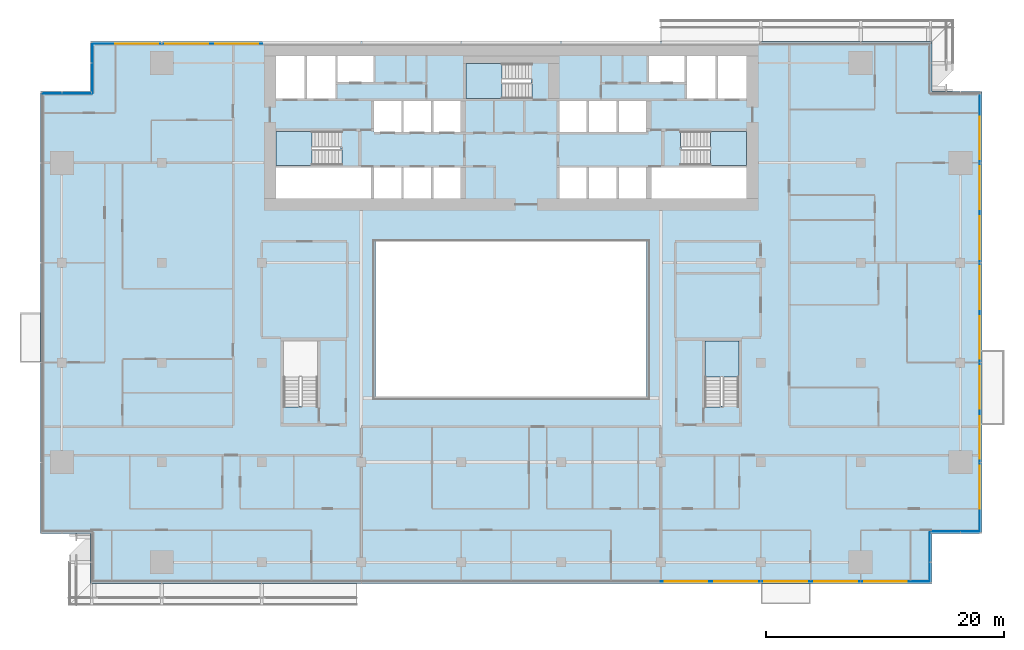
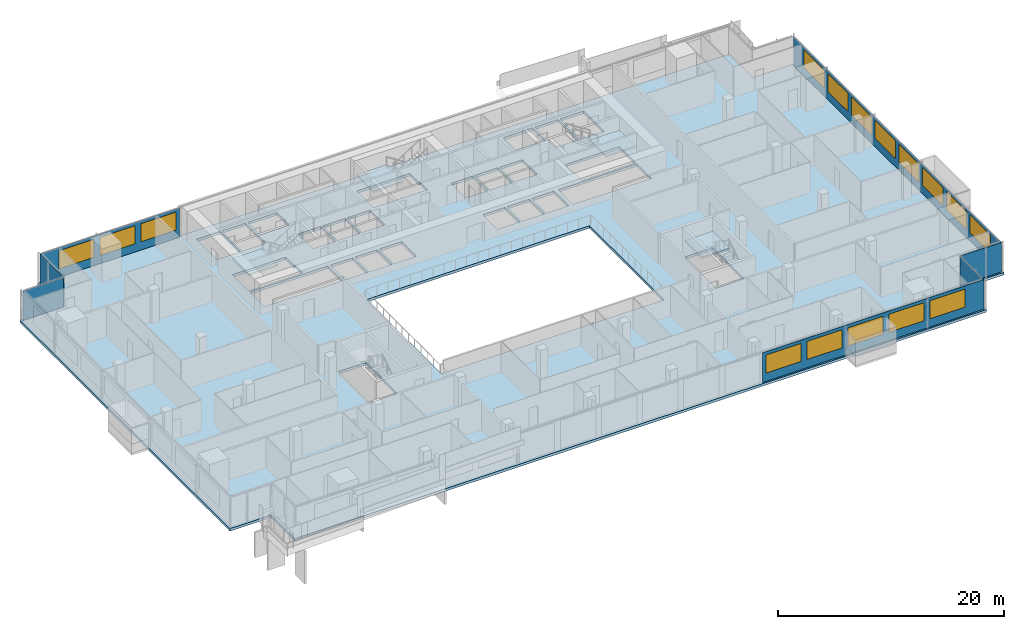
# One storey, part 15 of 29: 16 windows, 7 plates, 5 slabs, 16 openings, 11 elements without a shape of their own.
"""IFC4 building model written with IfcOpenShell, lengths in metres."""

import ifcopenshell
import ifcopenshell.guid

model = None  # the IFC model being written
_history = None  # IfcOwnerHistory: only IFC2X3 demands one
_inside = {}  # id of a spatial element -> (the spatial element, [elements in it])
_under = {}  # id of a project, library or spatial element -> (it, [spatial elements below it])
_declared = {}  # id of a project -> (the project, [libraries it declares])
_typed = {}  # id of a type object -> (the type object, [elements of that type])
_made_of = {}  # id of a material, layer set ... -> (it, [elements and type objects made of it])


def new_model(schema):
    """Start an empty IFC model of exactly this schema.

    Asked for "IFC4X3", IfcOpenShell would pick the latest addendum, in which some entities
    have other attributes; the version numbers below select the first issue.
    IFC2X3 requires an IfcOwnerHistory on every rooted entity: one is made here for all.
    """
    global model, _history
    if schema == "IFC4X3":
        model = ifcopenshell.file(schema_version=(4, 3, 0, 0))
    else:
        model = ifcopenshell.file(schema=schema)
    _inside.clear()
    _under.clear()
    _declared.clear()
    _typed.clear()
    _made_of.clear()
    _history = None
    if model.schema == "IFC2X3":
        org = make("IfcOrganization", Name="unknown")
        user = make(
            "IfcPersonAndOrganization",
            ThePerson=make("IfcPerson", FamilyName="unknown"),
            TheOrganization=org,
        )
        app = make(
            "IfcApplication",
            ApplicationDeveloper=org,
            Version="unknown",
            ApplicationFullName="unknown",
            ApplicationIdentifier="unknown",
        )
        _history = make(
            "IfcOwnerHistory",
            OwningUser=user,
            OwningApplication=app,
            ChangeAction="ADDED",
            CreationDate=0,
        )
    return model


def make(cls, **values):
    """One entity of the class cls with the attributes given. An attribute that is None is left unset."""
    return model.create_entity(
        cls, **{name: value for name, value in values.items() if value is not None}
    )


def rooted(cls, **values):
    """An entity with a GlobalId (a new one), such as an element, a storey or a relation."""
    return make(cls, GlobalId=ifcopenshell.guid.new(), OwnerHistory=_history, **values)


def si_unit(unit_type, name, prefix=None):
    """IfcSIUnit, for example si_unit("LENGTHUNIT", "METRE", prefix="MILLI")."""
    return make("IfcSIUnit", UnitType=unit_type, Prefix=prefix, Name=name)


def assignment(units):
    """IfcUnitAssignment: the units of a project."""
    return None if units is None else make("IfcUnitAssignment", Units=units)


def point(xyz):
    """IfcCartesianPoint."""
    return None if xyz is None else make("IfcCartesianPoint", Coordinates=xyz)


def direction(xyz):
    """IfcDirection."""
    return None if xyz is None else make("IfcDirection", DirectionRatios=xyz)


def frame(location, z_axis=None, x_axis=None):
    """IfcAxis2Placement3D, a coordinate frame: its origin and axes. An axis left out is left unset."""
    return make(
        "IfcAxis2Placement3D",
        Location=point(location),
        Axis=direction(z_axis),
        RefDirection=direction(x_axis),
    )


def frame_2d(location, x_axis=None):
    """IfcAxis2Placement2D, a coordinate frame in the plane: its origin and x axis."""
    return make(
        "IfcAxis2Placement2D", Location=point(location), RefDirection=direction(x_axis)
    )


def origin():
    """The frame at (0, 0, 0) with its axes left unset."""
    return frame((0.0, 0.0, 0.0))


def place(relative_to, where):
    """IfcLocalPlacement: puts the frame where relative to a parent placement (None: the world)."""
    return make(
        "IfcLocalPlacement", PlacementRelTo=relative_to, RelativePlacement=where
    )


def context(
    kind, dimensions, precision=None, world=None, true_north=None, identifier=None
):
    """IfcGeometricRepresentationContext, for example the 3D "Model" context."""
    return make(
        "IfcGeometricRepresentationContext",
        ContextIdentifier=identifier,
        ContextType=kind,
        CoordinateSpaceDimension=dimensions,
        Precision=precision,
        WorldCoordinateSystem=world,
        TrueNorth=true_north,
    )


def subcontext(parent, identifier, kind, view, scale=None):
    """IfcGeometricRepresentationSubContext, for example "Body" below "Model"."""
    return make(
        "IfcGeometricRepresentationSubContext",
        ContextIdentifier=identifier,
        ContextType=kind,
        ParentContext=parent,
        TargetScale=scale,
        TargetView=view,
    )


def project(units=None, contexts=None):
    """IfcProject with its units and contexts."""
    return rooted(
        "IfcProject",
        Name="project",
        RepresentationContexts=contexts,
        UnitsInContext=assignment(units),
    )


def spatial(cls, under=None, at=None, **own):
    """A site, building, storey or space (cls), placed at a placement, below another one or the project."""
    s = rooted(cls, ObjectPlacement=at, **own)
    if under is not None:
        _under.setdefault(under.id(), (under, []))[1].append(s)
    return s


def polyline(points):
    """IfcPolyline through the points."""
    return make("IfcPolyline", Points=[point(p) for p in points])


def profile(cls, at=None, kind="AREA", **sizes):
    """A parametric profile (cls). Its sizes go by their IFC names, for example OverallWidth=200.0."""
    return make(cls, ProfileType=kind, Position=at, **sizes)


def rectangle(**sizes):
    """IfcRectangleProfileDef."""
    return profile("IfcRectangleProfileDef", **sizes)


def outline(outer, holes=None, kind="AREA"):
    """IfcArbitraryClosedProfileDef: a profile drawn as a closed curve; with holes, ...WithVoids."""
    if holes is None:
        return make("IfcArbitraryClosedProfileDef", ProfileType=kind, OuterCurve=outer)
    return make(
        "IfcArbitraryProfileDefWithVoids",
        ProfileType=kind,
        OuterCurve=outer,
        InnerCurves=holes,
    )


def extrude(swept, where, along, depth):
    """IfcExtrudedAreaSolid: the profile swept, set in the frame where, extruded along a direction by depth."""
    return make(
        "IfcExtrudedAreaSolid",
        SweptArea=swept,
        Position=where,
        ExtrudedDirection=direction(along),
        Depth=depth,
    )


def shape(context_of_items, identifier, shape_type, items):
    """IfcShapeRepresentation: the items that make up one representation, for example the "Body"."""
    return make(
        "IfcShapeRepresentation",
        ContextOfItems=context_of_items,
        RepresentationIdentifier=identifier,
        RepresentationType=shape_type,
        Items=items,
    )


def material(Name=None, Category=None):
    """IfcMaterial."""
    return make("IfcMaterial", Name=Name, Category=Category)


def layer(
    of_material, thickness, ventilated=None, Name=None, Category=None, Priority=None
):
    """IfcMaterialLayer: one layer of a wall or slab, of a material (None: an air gap)."""
    return make(
        "IfcMaterialLayer",
        Material=of_material,
        LayerThickness=thickness,
        IsVentilated=ventilated,
        Name=Name,
        Category=Category,
        Priority=Priority,
    )


def layer_set(layers, Name=None):
    """IfcMaterialLayerSet."""
    return make("IfcMaterialLayerSet", MaterialLayers=layers, LayerSetName=Name)


def made_of(thing, what):
    """Note that an element or type object is made of a material, layer set ...; save() writes the relation."""
    if what is not None:
        _made_of.setdefault(what.id(), (what, []))[1].append(thing)
    return thing


def type_object(cls, material=None, **own):
    """A type object (cls), such as IfcWallType, which elements share."""
    return made_of(rooted(cls, **own), material)


def element(
    cls,
    number,
    at=None,
    inside=None,
    cuts=None,
    type_object=None,
    material=None,
    context=None,
    identifier="Body",
    shape_type=None,
    held_by="IfcProductDefinitionShape",
    body=None,
    shapes=None,
    **own,
):
    """One element of the class cls, such as IfcWall. Its Tag is "e" and its number.

    at: its placement. inside: the storey or other place that contains it. cuts: it is an
    opening in that element (IfcRelVoidsElement). A single representation is given by context,
    identifier, shape_type and body (its items); several are given by shapes. held_by: the class
    of the entity that holds the representations. save() writes the other relations.
    """
    e = rooted(cls, Tag="e%d" % number, ObjectPlacement=at, **own)
    if body is not None:
        shapes = [shape(context, identifier, shape_type, body)]
    if shapes is not None:
        e.Representation = make(held_by, Representations=shapes)
    if inside is not None:
        _inside.setdefault(inside.id(), (inside, []))[1].append(e)
    if cuts is not None:
        rooted(
            "IfcRelVoidsElement", RelatingBuildingElement=cuts, RelatedOpeningElement=e
        )
    if type_object is not None:
        _typed.setdefault(type_object.id(), (type_object, []))[1].append(e)
    return made_of(e, material)


def fill(opening, filler):
    """IfcRelFillsElement: the door or window that sits in an opening."""
    return rooted(
        "IfcRelFillsElement",
        RelatingOpeningElement=opening,
        RelatedBuildingElement=filler,
    )


def aggregate(whole, parts):
    """IfcRelAggregates: a whole, such as a stair, and the parts it consists of."""
    return rooted("IfcRelAggregates", RelatingObject=whole, RelatedObjects=parts)


def save(model, path):
    """Write the relations noted so far, then the file.

    IfcRelAggregates (storeys below a building ...), IfcRelContainedInSpatialStructure (elements
    in a storey), IfcRelDefinesByType, IfcRelAssociatesMaterial and IfcRelDeclares: one each for
    every whole, place, type object, material and project.
    """
    for whole, parts in _under.values():
        aggregate(whole, parts)
    for where, things in _inside.values():
        rooted(
            "IfcRelContainedInSpatialStructure",
            RelatedElements=things,
            RelatingStructure=where,
        )
    for kind, things in _typed.values():
        rooted("IfcRelDefinesByType", RelatedObjects=things, RelatingType=kind)
    for what, things in _made_of.values():
        rooted("IfcRelAssociatesMaterial", RelatedObjects=things, RelatingMaterial=what)
    for by, libraries in _declared.values():
        rooted("IfcRelDeclares", RelatingContext=by, RelatedDefinitions=libraries)
    model.write(path)


model = new_model("IFC4")

# Units and contexts
model_context = context("Model", 3, precision=1e-05, world=origin(), true_north=direction((0.0, 1.0)))
body_context = subcontext(model_context, "Body", "Model", "MODEL_VIEW")
ifc_project = project(units=[si_unit("LENGTHUNIT", "METRE"), si_unit("AREAUNIT", "SQUARE_METRE"), si_unit("VOLUMEUNIT", "CUBIC_METRE"), si_unit("PLANEANGLEUNIT", "RADIAN"), si_unit("MASSUNIT", "GRAM", prefix="KILO")], contexts=[model_context])

# Site, building, storey
site_placement = place(None, origin())
site = spatial("IfcSite", under=ifc_project, at=site_placement, CompositionType="ELEMENT")
building_placement = place(site_placement, origin())
building = spatial("IfcBuilding", under=site, at=building_placement, Name="Saffron Gate Tower", CompositionType="ELEMENT")
storey_placement = place(building_placement, frame((0.0, 0.0, 116.85009765625)))
storey = spatial("IfcBuildingStorey", under=building, at=storey_placement, Name="L27", CompositionType="ELEMENT", Elevation=116.85009765625)

# Curtain wall, plate, openings, windows
ifc_material_1 = material(Name="Aluminium, bronze anodised", Category="aluminium")
curtain_wall_type_1 = type_object("IfcCurtainWallType", Name="CWS1 curtain wall front facade", PredefinedType="NOTDEFINED", material=ifc_material_1)
curtain_wall_1_placement = place(storey_placement, origin())
curtain_wall_1 = element("IfcCurtainWall", 1, at=curtain_wall_1_placement, inside=storey, type_object=curtain_wall_type_1, Name="CWS1 run 1", PredefinedType="NOTDEFINED")
ifc_material_2 = material(Name="Fritted bronze-tinted laminated glass", Category="glass")
ifc_layer_1 = layer(ifc_material_2, 0.028076171875)
ifc_layer_set_1 = layer_set([ifc_layer_1], Name="CWS1 fixed glass")
plate_type_1 = type_object("IfcPlateType", Name="CWS1 fixed glass", PredefinedType="CURTAIN_PANEL", material=ifc_layer_set_1)
plate_1_placement = place(storey_placement, frame((100.169921875, 30.174072265625, 0.0), z_axis=(0.0, 0.0, 1.0), x_axis=(1.0, 0.0, 0.0)))
plate_1 = element("IfcPlate", 2, at=plate_1_placement, type_object=plate_type_1, Name="CWS1 glass panel", PredefinedType="CURTAIN_PANEL", context=body_context, shape_type="SweptSolid", body=[
    extrude(rectangle(XDim=22.64208984375, YDim=0.028076171875, at=frame_2d((11.321044921875, 0.0))), origin(), (0.0, 0.0, 1.0), 3.199951171875),
])
opening_1_placement = place(plate_1_placement, frame((0.330078125, 0.0, 0.89990234375)))
opening_1 = element("IfcOpeningElement", 3, at=opening_1_placement, cuts=plate_1, Name="Opening W1", PredefinedType="OPENING", context=body_context, shape_type="SweptSolid", body=[
    extrude(rectangle(XDim=3.60009765625, YDim=1.949951171875, at=frame_2d((1.800048828125, 0.97509765625))), frame((0.0, 0.02392578125, 0.0), z_axis=(0.0, -1.0, 0.0), x_axis=(1.0, 0.0, 0.0)), (0.0, 0.0, 1.0), 0.048095703125),
])
opening_2_placement = place(plate_1_placement, frame((4.530029296875, 0.0, 0.89990234375)))
opening_2 = element("IfcOpeningElement", 4, at=opening_2_placement, cuts=plate_1, Name="Opening W1", PredefinedType="OPENING", context=body_context, shape_type="SweptSolid", body=[
    extrude(rectangle(XDim=3.60009765625, YDim=1.949951171875, at=frame_2d((1.800048828125, 0.97509765625))), frame((0.0, 0.02392578125, 0.0), z_axis=(0.0, -1.0, 0.0), x_axis=(1.0, 0.0, 0.0)), (0.0, 0.0, 1.0), 0.048095703125),
])
opening_3_placement = place(plate_1_placement, frame((8.72998046875, 0.0, 0.89990234375)))
opening_3 = element("IfcOpeningElement", 5, at=opening_3_placement, cuts=plate_1, Name="Opening W1", PredefinedType="OPENING", context=body_context, shape_type="SweptSolid", body=[
    extrude(rectangle(XDim=3.60009765625, YDim=1.949951171875, at=frame_2d((1.800048828125, 0.97509765625))), frame((0.0, 0.02392578125, 0.0), z_axis=(0.0, -1.0, 0.0), x_axis=(1.0, 0.0, 0.0)), (0.0, 0.0, 1.0), 0.048095703125),
])
opening_4_placement = place(plate_1_placement, frame((12.929931640625, 0.0, 0.89990234375)))
opening_4 = element("IfcOpeningElement", 6, at=opening_4_placement, cuts=plate_1, Name="Opening W1", PredefinedType="OPENING", context=body_context, shape_type="SweptSolid", body=[
    extrude(rectangle(XDim=3.60009765625, YDim=1.949951171875, at=frame_2d((1.800048828125, 0.97509765625))), frame((0.0, 0.02392578125, 0.0), z_axis=(0.0, -1.0, 0.0), x_axis=(1.0, 0.0, 0.0)), (0.0, 0.0, 1.0), 0.048095703125),
])
opening_5_placement = place(plate_1_placement, frame((17.1298828125, 0.0, 0.89990234375)))
opening_5 = element("IfcOpeningElement", 7, at=opening_5_placement, cuts=plate_1, Name="Opening W1", PredefinedType="OPENING", context=body_context, shape_type="SweptSolid", body=[
    extrude(rectangle(XDim=3.60009765625, YDim=1.949951171875, at=frame_2d((1.800048828125, 0.97509765625))), frame((0.0, 0.02392578125, 0.0), z_axis=(0.0, -1.0, 0.0), x_axis=(1.0, 0.0, 0.0)), (0.0, 0.0, 1.0), 0.048095703125),
])
ifc_material_3 = material(Name="Fritted bronze-tinted laminated glass in bronze frame", Category="glass")
ifc_layer_2 = layer(ifc_material_3, 0.06005859375)
ifc_layer_set_2 = layer_set([ifc_layer_2], Name="W1 operable panel 3600x1950")
window_type = type_object("IfcWindowType", Name="W1 operable panel 3600x1950", PartitioningType="DOUBLE_PANEL_HORIZONTAL", PredefinedType="WINDOW", material=ifc_layer_set_2)
window_1_placement = place(opening_1_placement, origin())
window_1 = element("IfcWindow", 8, at=window_1_placement, type_object=window_type, Name="W1 operable panel", OverallHeight=1.949951171875, OverallWidth=3.60009765625, PartitioningType="SINGLE_PANEL", PredefinedType="WINDOW", context=body_context, shape_type="SweptSolid", body=[
    extrude(rectangle(XDim=3.60009765625, YDim=1.949951171875, at=frame_2d((1.800048828125, 0.97509765625))), frame((0.0, 0.013671875, 0.0), z_axis=(0.0, -1.0, 0.0), x_axis=(1.0, 0.0, 0.0)), (0.0, 0.0, 1.0), 0.027587890625),
])
fill(opening_1, window_1)
window_2_placement = place(opening_2_placement, origin())
window_2 = element("IfcWindow", 9, at=window_2_placement, type_object=window_type, Name="W1 operable panel", OverallHeight=1.949951171875, OverallWidth=3.60009765625, PartitioningType="SINGLE_PANEL", PredefinedType="WINDOW", context=body_context, shape_type="SweptSolid", body=[
    extrude(rectangle(XDim=3.60009765625, YDim=1.949951171875, at=frame_2d((1.800048828125, 0.97509765625))), frame((0.0, 0.013671875, 0.0), z_axis=(0.0, -1.0, 0.0), x_axis=(1.0, 0.0, 0.0)), (0.0, 0.0, 1.0), 0.027587890625),
])
fill(opening_2, window_2)
window_3_placement = place(opening_3_placement, origin())
window_3 = element("IfcWindow", 10, at=window_3_placement, type_object=window_type, Name="W1 operable panel", OverallHeight=1.949951171875, OverallWidth=3.60009765625, PartitioningType="SINGLE_PANEL", PredefinedType="WINDOW", context=body_context, shape_type="SweptSolid", body=[
    extrude(rectangle(XDim=3.60009765625, YDim=1.949951171875, at=frame_2d((1.800048828125, 0.97509765625))), frame((0.0, 0.013671875, 0.0), z_axis=(0.0, -1.0, 0.0), x_axis=(1.0, 0.0, 0.0)), (0.0, 0.0, 1.0), 0.027587890625),
])
fill(opening_3, window_3)
window_4_placement = place(opening_4_placement, origin())
window_4 = element("IfcWindow", 11, at=window_4_placement, type_object=window_type, Name="W1 operable panel", OverallHeight=1.949951171875, OverallWidth=3.60009765625, PartitioningType="SINGLE_PANEL", PredefinedType="WINDOW", context=body_context, shape_type="SweptSolid", body=[
    extrude(rectangle(XDim=3.60009765625, YDim=1.949951171875, at=frame_2d((1.800048828125, 0.97509765625))), frame((0.0, 0.013671875, 0.0), z_axis=(0.0, -1.0, 0.0), x_axis=(1.0, 0.0, 0.0)), (0.0, 0.0, 1.0), 0.027587890625),
])
fill(opening_4, window_4)
window_5_placement = place(opening_5_placement, origin())
window_5 = element("IfcWindow", 12, at=window_5_placement, type_object=window_type, Name="W1 operable panel", OverallHeight=1.949951171875, OverallWidth=3.60009765625, PartitioningType="SINGLE_PANEL", PredefinedType="WINDOW", context=body_context, shape_type="SweptSolid", body=[
    extrude(rectangle(XDim=3.60009765625, YDim=1.949951171875, at=frame_2d((1.800048828125, 0.97509765625))), frame((0.0, 0.013671875, 0.0), z_axis=(0.0, -1.0, 0.0), x_axis=(1.0, 0.0, 0.0)), (0.0, 0.0, 1.0), 0.027587890625),
])
fill(opening_5, window_5)
aggregate(curtain_wall_1, [plate_1, window_1, window_2, window_3, window_4, window_5])

curtain_wall_type_2 = type_object("IfcCurtainWallType", Name="CWS2 curtain wall side facades", PredefinedType="NOTDEFINED", material=ifc_material_1)
curtain_wall_2_placement = place(storey_placement, origin())
curtain_wall_2 = element("IfcCurtainWall", 13, at=curtain_wall_2_placement, inside=storey, type_object=curtain_wall_type_2, Name="CWS2 run 4", PredefinedType="NOTDEFINED")
ifc_layer_3 = layer(ifc_material_2, 0.028076171875)
ifc_layer_set_3 = layer_set([ifc_layer_3], Name="CWS2 fixed glass")
plate_type_2 = type_object("IfcPlateType", Name="CWS2 fixed glass", PredefinedType="CURTAIN_PANEL", material=ifc_layer_set_3)
plate_2_placement = place(storey_placement, frame((127.02587890625, 34.387939453125, 0.0), z_axis=(0.0, 0.0, 1.0), x_axis=(0.0, 1.0, 0.0)))
plate_2 = element("IfcPlate", 14, at=plate_2_placement, type_object=plate_type_2, Name="CWS2 glass panel", PredefinedType="CURTAIN_PANEL", context=body_context, shape_type="SweptSolid", body=[
    extrude(rectangle(XDim=36.823974609375, YDim=0.028076171875, at=frame_2d((18.412109375, 0.0))), origin(), (0.0, 0.0, 1.0), 3.199951171875),
])
opening_6_placement = place(plate_2_placement, frame((1.912109375, 0.0, 0.89990234375)))
opening_6 = element("IfcOpeningElement", 15, at=opening_6_placement, cuts=plate_2, Name="Opening W1", PredefinedType="OPENING", context=body_context, shape_type="SweptSolid", body=[
    extrude(rectangle(XDim=3.60009765625, YDim=1.949951171875, at=frame_2d((1.800048828125, 0.97509765625))), frame((0.0, 0.02392578125, 0.0), z_axis=(0.0, -1.0, 0.0), x_axis=(1.0, 0.0, 0.0)), (0.0, 0.0, 1.0), 0.048095703125),
])
opening_7_placement = place(plate_2_placement, frame((6.112060546875, 0.0, 0.89990234375)))
opening_7 = element("IfcOpeningElement", 16, at=opening_7_placement, cuts=plate_2, Name="Opening W1", PredefinedType="OPENING", context=body_context, shape_type="SweptSolid", body=[
    extrude(rectangle(XDim=3.60009765625, YDim=1.949951171875, at=frame_2d((1.800048828125, 0.97509765625))), frame((0.0, 0.02392578125, 0.0), z_axis=(0.0, -1.0, 0.0), x_axis=(1.0, 0.0, 0.0)), (0.0, 0.0, 1.0), 0.048095703125),
])
opening_8_placement = place(plate_2_placement, frame((10.31201171875, 0.0, 0.89990234375)))
opening_8 = element("IfcOpeningElement", 17, at=opening_8_placement, cuts=plate_2, Name="Opening W1", PredefinedType="OPENING", context=body_context, shape_type="SweptSolid", body=[
    extrude(rectangle(XDim=3.60009765625, YDim=1.949951171875, at=frame_2d((1.800048828125, 0.97509765625))), frame((0.0, 0.02392578125, 0.0), z_axis=(0.0, -1.0, 0.0), x_axis=(1.0, 0.0, 0.0)), (0.0, 0.0, 1.0), 0.048095703125),
])
opening_9_placement = place(plate_2_placement, frame((14.511962890625, 0.0, 0.89990234375)))
opening_9 = element("IfcOpeningElement", 18, at=opening_9_placement, cuts=plate_2, Name="Opening W1", PredefinedType="OPENING", context=body_context, shape_type="SweptSolid", body=[
    extrude(rectangle(XDim=3.60009765625, YDim=1.949951171875, at=frame_2d((1.800048828125, 0.97509765625))), frame((0.0, 0.02392578125, 0.0), z_axis=(0.0, -1.0, 0.0), x_axis=(1.0, 0.0, 0.0)), (0.0, 0.0, 1.0), 0.048095703125),
])
opening_10_placement = place(plate_2_placement, frame((18.7119140625, 0.0, 0.89990234375)))
opening_10 = element("IfcOpeningElement", 19, at=opening_10_placement, cuts=plate_2, Name="Opening W1", PredefinedType="OPENING", context=body_context, shape_type="SweptSolid", body=[
    extrude(rectangle(XDim=3.60009765625, YDim=1.949951171875, at=frame_2d((1.800048828125, 0.97509765625))), frame((0.0, 0.02392578125, 0.0), z_axis=(0.0, -1.0, 0.0), x_axis=(1.0, 0.0, 0.0)), (0.0, 0.0, 1.0), 0.048095703125),
])
opening_11_placement = place(plate_2_placement, frame((22.912109375, 0.0, 0.89990234375)))
opening_11 = element("IfcOpeningElement", 20, at=opening_11_placement, cuts=plate_2, Name="Opening W1", PredefinedType="OPENING", context=body_context, shape_type="SweptSolid", body=[
    extrude(rectangle(XDim=3.60009765625, YDim=1.949951171875, at=frame_2d((1.800048828125, 0.97509765625))), frame((0.0, 0.02392578125, 0.0), z_axis=(0.0, -1.0, 0.0), x_axis=(1.0, 0.0, 0.0)), (0.0, 0.0, 1.0), 0.048095703125),
])
opening_12_placement = place(plate_2_placement, frame((27.112060546875, 0.0, 0.89990234375)))
opening_12 = element("IfcOpeningElement", 21, at=opening_12_placement, cuts=plate_2, Name="Opening W1", PredefinedType="OPENING", context=body_context, shape_type="SweptSolid", body=[
    extrude(rectangle(XDim=3.60009765625, YDim=1.949951171875, at=frame_2d((1.800048828125, 0.97509765625))), frame((0.0, 0.02392578125, 0.0), z_axis=(0.0, -1.0, 0.0), x_axis=(1.0, 0.0, 0.0)), (0.0, 0.0, 1.0), 0.048095703125),
])
opening_13_placement = place(plate_2_placement, frame((31.31201171875, 0.0, 0.89990234375)))
opening_13 = element("IfcOpeningElement", 22, at=opening_13_placement, cuts=plate_2, Name="Opening W1", PredefinedType="OPENING", context=body_context, shape_type="SweptSolid", body=[
    extrude(rectangle(XDim=3.60009765625, YDim=1.949951171875, at=frame_2d((1.800048828125, 0.97509765625))), frame((0.0, 0.02392578125, 0.0), z_axis=(0.0, -1.0, 0.0), x_axis=(1.0, 0.0, 0.0)), (0.0, 0.0, 1.0), 0.048095703125),
])
window_6_placement = place(opening_6_placement, origin())
window_6 = element("IfcWindow", 23, at=window_6_placement, type_object=window_type, Name="W1 operable panel", OverallHeight=1.949951171875, OverallWidth=3.60009765625, PartitioningType="SINGLE_PANEL", PredefinedType="WINDOW", context=body_context, shape_type="SweptSolid", body=[
    extrude(rectangle(XDim=3.60009765625, YDim=1.949951171875, at=frame_2d((1.800048828125, 0.97509765625))), frame((0.0, 0.013671875, 0.0), z_axis=(0.0, -1.0, 0.0), x_axis=(1.0, 0.0, 0.0)), (0.0, 0.0, 1.0), 0.027587890625),
])
fill(opening_6, window_6)
window_7_placement = place(opening_7_placement, origin())
window_7 = element("IfcWindow", 24, at=window_7_placement, type_object=window_type, Name="W1 operable panel", OverallHeight=1.949951171875, OverallWidth=3.60009765625, PartitioningType="SINGLE_PANEL", PredefinedType="WINDOW", context=body_context, shape_type="SweptSolid", body=[
    extrude(rectangle(XDim=3.60009765625, YDim=1.949951171875, at=frame_2d((1.800048828125, 0.97509765625))), frame((0.0, 0.013671875, 0.0), z_axis=(0.0, -1.0, 0.0), x_axis=(1.0, 0.0, 0.0)), (0.0, 0.0, 1.0), 0.027587890625),
])
fill(opening_7, window_7)
window_8_placement = place(opening_8_placement, origin())
window_8 = element("IfcWindow", 25, at=window_8_placement, type_object=window_type, Name="W1 operable panel", OverallHeight=1.949951171875, OverallWidth=3.60009765625, PartitioningType="SINGLE_PANEL", PredefinedType="WINDOW", context=body_context, shape_type="SweptSolid", body=[
    extrude(rectangle(XDim=3.60009765625, YDim=1.949951171875, at=frame_2d((1.800048828125, 0.97509765625))), frame((0.0, 0.013671875, 0.0), z_axis=(0.0, -1.0, 0.0), x_axis=(1.0, 0.0, 0.0)), (0.0, 0.0, 1.0), 0.027587890625),
])
fill(opening_8, window_8)
window_9_placement = place(opening_9_placement, origin())
window_9 = element("IfcWindow", 26, at=window_9_placement, type_object=window_type, Name="W1 operable panel", OverallHeight=1.949951171875, OverallWidth=3.60009765625, PartitioningType="SINGLE_PANEL", PredefinedType="WINDOW", context=body_context, shape_type="SweptSolid", body=[
    extrude(rectangle(XDim=3.60009765625, YDim=1.949951171875, at=frame_2d((1.800048828125, 0.97509765625))), frame((0.0, 0.013671875, 0.0), z_axis=(0.0, -1.0, 0.0), x_axis=(1.0, 0.0, 0.0)), (0.0, 0.0, 1.0), 0.027587890625),
])
fill(opening_9, window_9)
window_10_placement = place(opening_10_placement, origin())
window_10 = element("IfcWindow", 27, at=window_10_placement, type_object=window_type, Name="W1 operable panel", OverallHeight=1.949951171875, OverallWidth=3.60009765625, PartitioningType="SINGLE_PANEL", PredefinedType="WINDOW", context=body_context, shape_type="SweptSolid", body=[
    extrude(rectangle(XDim=3.60009765625, YDim=1.949951171875, at=frame_2d((1.800048828125, 0.97509765625))), frame((0.0, 0.013671875, 0.0), z_axis=(0.0, -1.0, 0.0), x_axis=(1.0, 0.0, 0.0)), (0.0, 0.0, 1.0), 0.027587890625),
])
fill(opening_10, window_10)
window_11_placement = place(opening_11_placement, origin())
window_11 = element("IfcWindow", 28, at=window_11_placement, type_object=window_type, Name="W1 operable panel", OverallHeight=1.949951171875, OverallWidth=3.60009765625, PartitioningType="SINGLE_PANEL", PredefinedType="WINDOW", context=body_context, shape_type="SweptSolid", body=[
    extrude(rectangle(XDim=3.60009765625, YDim=1.949951171875, at=frame_2d((1.800048828125, 0.97509765625))), frame((0.0, 0.013671875, 0.0), z_axis=(0.0, -1.0, 0.0), x_axis=(1.0, 0.0, 0.0)), (0.0, 0.0, 1.0), 0.027587890625),
])
fill(opening_11, window_11)
window_12_placement = place(opening_12_placement, origin())
window_12 = element("IfcWindow", 29, at=window_12_placement, type_object=window_type, Name="W1 operable panel", OverallHeight=1.949951171875, OverallWidth=3.60009765625, PartitioningType="SINGLE_PANEL", PredefinedType="WINDOW", context=body_context, shape_type="SweptSolid", body=[
    extrude(rectangle(XDim=3.60009765625, YDim=1.949951171875, at=frame_2d((1.800048828125, 0.97509765625))), frame((0.0, 0.013671875, 0.0), z_axis=(0.0, -1.0, 0.0), x_axis=(1.0, 0.0, 0.0)), (0.0, 0.0, 1.0), 0.027587890625),
])
fill(opening_12, window_12)
window_13_placement = place(opening_13_placement, origin())
window_13 = element("IfcWindow", 30, at=window_13_placement, type_object=window_type, Name="W1 operable panel", OverallHeight=1.949951171875, OverallWidth=3.60009765625, PartitioningType="SINGLE_PANEL", PredefinedType="WINDOW", context=body_context, shape_type="SweptSolid", body=[
    extrude(rectangle(XDim=3.60009765625, YDim=1.949951171875, at=frame_2d((1.800048828125, 0.97509765625))), frame((0.0, 0.013671875, 0.0), z_axis=(0.0, -1.0, 0.0), x_axis=(1.0, 0.0, 0.0)), (0.0, 0.0, 1.0), 0.027587890625),
])
fill(opening_13, window_13)
aggregate(curtain_wall_2, [plate_2, window_6, window_7, window_8, window_9, window_10, window_11, window_12, window_13])

curtain_wall_type_3 = type_object("IfcCurtainWallType", Name="CWS3 curtain wall rear facade", PredefinedType="NOTDEFINED", material=ifc_material_1)
curtain_wall_3_placement = place(storey_placement, origin())
curtain_wall_3 = element("IfcCurtainWall", 31, at=curtain_wall_3_placement, inside=storey, type_object=curtain_wall_type_3, Name="CWS3 run 7", PredefinedType="NOTDEFINED")
ifc_material_4 = material(Name="Fritted grey-tinted laminated glass", Category="glass")
ifc_layer_4 = layer(ifc_material_4, 0.028076171875)
ifc_layer_set_4 = layer_set([ifc_layer_4], Name="CWS3 fixed glass")
plate_type_3 = type_object("IfcPlateType", Name="CWS3 fixed glass", PredefinedType="CURTAIN_PANEL", material=ifc_layer_set_4)
plate_3_placement = place(storey_placement, frame((66.635009765625, 75.426025390625, 0.0), z_axis=(0.0, 0.0, 1.0), x_axis=(-1.0, 0.0, 0.0)))
plate_3 = element("IfcPlate", 32, at=plate_3_placement, type_object=plate_type_3, Name="CWS3 glass panel", PredefinedType="CURTAIN_PANEL", context=body_context, shape_type="SweptSolid", body=[
    extrude(rectangle(XDim=14.2470703125, YDim=0.028076171875, at=frame_2d((7.12353515625, 0.0))), origin(), (0.0, 0.0, 1.0), 3.199951171875),
])
opening_14_placement = place(plate_3_placement, frame((0.3349609375, 0.0, 0.89990234375)))
opening_14 = element("IfcOpeningElement", 33, at=opening_14_placement, cuts=plate_3, Name="Opening W1", PredefinedType="OPENING", context=body_context, shape_type="SweptSolid", body=[
    extrude(rectangle(XDim=3.60009765625, YDim=1.949951171875, at=frame_2d((1.800048828125, 0.97509765625))), frame((0.0, 0.02392578125, 0.0), z_axis=(0.0, -1.0, 0.0), x_axis=(1.0, 0.0, 0.0)), (0.0, 0.0, 1.0), 0.048095703125),
])
opening_15_placement = place(plate_3_placement, frame((4.534912109375, 0.0, 0.89990234375)))
opening_15 = element("IfcOpeningElement", 34, at=opening_15_placement, cuts=plate_3, Name="Opening W1", PredefinedType="OPENING", context=body_context, shape_type="SweptSolid", body=[
    extrude(rectangle(XDim=3.60009765625, YDim=1.949951171875, at=frame_2d((1.800048828125, 0.97509765625))), frame((0.0, 0.02392578125, 0.0), z_axis=(0.0, -1.0, 0.0), x_axis=(1.0, 0.0, 0.0)), (0.0, 0.0, 1.0), 0.048095703125),
])
opening_16_placement = place(plate_3_placement, frame((8.735107421875, 0.0, 0.89990234375)))
opening_16 = element("IfcOpeningElement", 35, at=opening_16_placement, cuts=plate_3, Name="Opening W1", PredefinedType="OPENING", context=body_context, shape_type="SweptSolid", body=[
    extrude(rectangle(XDim=3.60009765625, YDim=1.949951171875, at=frame_2d((1.800048828125, 0.97509765625))), frame((0.0, 0.02392578125, 0.0), z_axis=(0.0, -1.0, 0.0), x_axis=(1.0, 0.0, 0.0)), (0.0, 0.0, 1.0), 0.048095703125),
])
window_14_placement = place(opening_14_placement, origin())
window_14 = element("IfcWindow", 36, at=window_14_placement, type_object=window_type, Name="W1 operable panel", OverallHeight=1.949951171875, OverallWidth=3.60009765625, PartitioningType="SINGLE_PANEL", PredefinedType="WINDOW", context=body_context, shape_type="SweptSolid", body=[
    extrude(rectangle(XDim=3.60009765625, YDim=1.949951171875, at=frame_2d((1.800048828125, 0.97509765625))), frame((0.0, 0.013671875, 0.0), z_axis=(0.0, -1.0, 0.0), x_axis=(1.0, 0.0, 0.0)), (0.0, 0.0, 1.0), 0.027587890625),
])
fill(opening_14, window_14)
window_15_placement = place(opening_15_placement, origin())
window_15 = element("IfcWindow", 37, at=window_15_placement, type_object=window_type, Name="W1 operable panel", OverallHeight=1.949951171875, OverallWidth=3.60009765625, PartitioningType="SINGLE_PANEL", PredefinedType="WINDOW", context=body_context, shape_type="SweptSolid", body=[
    extrude(rectangle(XDim=3.60009765625, YDim=1.949951171875, at=frame_2d((1.800048828125, 0.97509765625))), frame((0.0, 0.013671875, 0.0), z_axis=(0.0, -1.0, 0.0), x_axis=(1.0, 0.0, 0.0)), (0.0, 0.0, 1.0), 0.027587890625),
])
fill(opening_15, window_15)
window_16_placement = place(opening_16_placement, origin())
window_16 = element("IfcWindow", 38, at=window_16_placement, type_object=window_type, Name="W1 operable panel", OverallHeight=1.949951171875, OverallWidth=3.60009765625, PartitioningType="SINGLE_PANEL", PredefinedType="WINDOW", context=body_context, shape_type="SweptSolid", body=[
    extrude(rectangle(XDim=3.60009765625, YDim=1.949951171875, at=frame_2d((1.800048828125, 0.97509765625))), frame((0.0, 0.013671875, 0.0), z_axis=(0.0, -1.0, 0.0), x_axis=(1.0, 0.0, 0.0)), (0.0, 0.0, 1.0), 0.027587890625),
])
fill(opening_16, window_16)
aggregate(curtain_wall_3, [plate_3, window_14, window_15, window_16])

# Curtain wall, plate
curtain_wall_type_4 = type_object("IfcCurtainWallType", Name="CWS4 curtain wall corner returns", PredefinedType="NOTDEFINED", material=ifc_material_1)
curtain_wall_4_placement = place(storey_placement, origin())
curtain_wall_4 = element("IfcCurtainWall", 39, at=curtain_wall_4_placement, inside=storey, type_object=curtain_wall_type_4, Name="CWS4 run 2", PredefinedType="NOTDEFINED")
ifc_layer_5 = layer(ifc_material_2, 0.028076171875)
ifc_layer_set_5 = layer_set([ifc_layer_5], Name="CWS4 fixed glass")
plate_type_4 = type_object("IfcPlateType", Name="CWS4 fixed glass", PredefinedType="CURTAIN_PANEL", material=ifc_layer_set_5)
plate_4_placement = place(storey_placement, frame((122.825927734375, 30.18798828125, 0.0), z_axis=(0.0, 0.0, 1.0), x_axis=(0.0, 1.0, 0.0)))
plate_4 = element("IfcPlate", 40, at=plate_4_placement, type_object=plate_type_4, Name="CWS4 glass panel", PredefinedType="CURTAIN_PANEL", context=body_context, shape_type="SweptSolid", body=[
    extrude(rectangle(XDim=4.172119140625, YDim=0.028076171875, at=frame_2d((2.0859375, 0.0))), origin(), (0.0, 0.0, 1.0), 3.199951171875),
])
aggregate(curtain_wall_4, [plate_4])

curtain_wall_5_placement = place(storey_placement, origin())
curtain_wall_5 = element("IfcCurtainWall", 41, at=curtain_wall_5_placement, inside=storey, type_object=curtain_wall_type_4, Name="CWS4 run 3", PredefinedType="NOTDEFINED")
plate_5_placement = place(storey_placement, frame((122.840087890625, 34.3740234375, 0.0), z_axis=(0.0, 0.0, 1.0), x_axis=(1.0, 0.0, 0.0)))
plate_5 = element("IfcPlate", 42, at=plate_5_placement, type_object=plate_type_4, Name="CWS4 glass panel", PredefinedType="CURTAIN_PANEL", context=body_context, shape_type="SweptSolid", body=[
    extrude(rectangle(XDim=4.171875, YDim=0.028076171875, at=frame_2d((2.0859375, 0.0))), origin(), (0.0, 0.0, 1.0), 3.199951171875),
])
aggregate(curtain_wall_5, [plate_5])

curtain_wall_6_placement = place(storey_placement, origin())
curtain_wall_6 = element("IfcCurtainWall", 43, at=curtain_wall_6_placement, inside=storey, type_object=curtain_wall_type_4, Name="CWS4 run 8", PredefinedType="NOTDEFINED")
plate_6_placement = place(storey_placement, frame((52.3740234375, 75.412109375, 0.0), z_axis=(0.0, 0.0, 1.0), x_axis=(0.0, -1.0, 0.0)))
plate_6 = element("IfcPlate", 44, at=plate_6_placement, type_object=plate_type_4, Name="CWS4 glass panel", PredefinedType="CURTAIN_PANEL", context=body_context, shape_type="SweptSolid", body=[
    extrude(rectangle(XDim=4.172119140625, YDim=0.028076171875, at=frame_2d((2.0859375, 0.0))), origin(), (0.0, 0.0, 1.0), 3.199951171875),
])
aggregate(curtain_wall_6, [plate_6])

curtain_wall_7_placement = place(storey_placement, origin())
curtain_wall_7 = element("IfcCurtainWall", 45, at=curtain_wall_7_placement, inside=storey, type_object=curtain_wall_type_4, Name="CWS4 run 9", PredefinedType="NOTDEFINED")
plate_7_placement = place(storey_placement, frame((52.360107421875, 71.22607421875, 0.0), z_axis=(0.0, 0.0, 1.0), x_axis=(-1.0, 0.0, 0.0)))
plate_7 = element("IfcPlate", 46, at=plate_7_placement, type_object=plate_type_4, Name="CWS4 glass panel", PredefinedType="CURTAIN_PANEL", context=body_context, shape_type="SweptSolid", body=[
    extrude(rectangle(XDim=4.172119140625, YDim=0.028076171875, at=frame_2d((2.0859375, 0.0))), origin(), (0.0, 0.0, 1.0), 3.199951171875),
])
aggregate(curtain_wall_7, [plate_7])

# Slab
ifc_material_5 = material(Name="Concrete C40", Category="concrete")
ifc_layer_6 = layer(ifc_material_5, 0.280029296875)
ifc_layer_set_6 = layer_set([ifc_layer_6], Name="S2 FLOOR SLAB 280 CONCRETE C40")
slab_type_1 = type_object("IfcSlabType", Name="S2 FLOOR SLAB 280 CONCRETE C40", PredefinedType="FLOOR", material=ifc_layer_set_6)
slab_1_placement = place(storey_placement, frame((0.0, 0.0, -0.280029296875)))
element("IfcSlab", 47, at=slab_1_placement, inside=storey, type_object=slab_type_1, Name="S2 FLOOR SLAB", PredefinedType="FLOOR", context=body_context, shape_type="SweptSolid", body=[
    extrude(outline(polyline([(48.0, 34.199951171875), (52.199951171875, 34.199951171875), (52.199951171875, 30.0), (123.0, 30.0), (123.0, 34.199951171875), (127.199951171875, 34.199951171875), (127.199951171875, 71.39990234375), (123.0, 71.39990234375), (123.0, 75.60009765625), (52.199951171875, 75.60009765625), (52.199951171875, 71.39990234375), (48.0, 71.39990234375), (48.0, 34.199951171875)]), holes=[polyline([(67.800048828125, 62.39990234375), (67.800048828125, 65.0), (75.800048828125, 65.0), (75.800048828125, 62.39990234375), (67.800048828125, 62.39990234375)]), polyline([(67.800048828125, 65.199951171875), (67.800048828125, 68.050048828125), (73.25, 68.050048828125), (73.25, 66.550048828125), (73.34912109375, 66.550048828125), (73.34912109375, 65.199951171875), (67.800048828125, 65.199951171875)]), polyline([(67.800048828125, 70.800048828125), (67.800048828125, 74.39990234375), (70.199951171875, 74.39990234375), (70.199951171875, 70.800048828125), (67.800048828125, 70.800048828125)]), polyline([(68.449951171875, 44.85107421875), (68.449951171875, 50.39990234375), (71.300048828125, 50.39990234375), (71.300048828125, 44.949951171875), (69.800048828125, 44.949951171875), (69.800048828125, 44.85107421875), (68.449951171875, 44.85107421875)]), polyline([(70.39990234375, 70.800048828125), (70.39990234375, 74.39990234375), (72.800048828125, 74.39990234375), (72.800048828125, 70.800048828125), (70.39990234375, 70.800048828125)]), polyline([(73.0, 72.199951171875), (73.0, 74.39990234375), (76.0, 74.39990234375), (76.0, 72.199951171875), (73.0, 72.199951171875)]), polyline([(76.050048828125, 62.39990234375), (76.050048828125, 65.0), (78.35009765625, 65.0), (78.35009765625, 62.39990234375), (76.050048828125, 62.39990234375)]), polyline([(76.050048828125, 68.0), (76.050048828125, 70.60009765625), (78.35009765625, 70.60009765625), (78.35009765625, 68.0), (76.050048828125, 68.0)]), polyline([(76.199951171875, 45.60009765625), (76.199951171875, 58.800048828125), (99.0, 58.800048828125), (99.0, 45.60009765625), (76.199951171875, 45.60009765625)]), polyline([(78.550048828125, 62.39990234375), (78.550048828125, 65.0), (80.85009765625, 65.0), (80.85009765625, 62.39990234375), (78.550048828125, 62.39990234375)]), polyline([(78.550048828125, 68.0), (78.550048828125, 70.60009765625), (80.85009765625, 70.60009765625), (80.85009765625, 68.0), (78.550048828125, 68.0)]), polyline([(81.050048828125, 62.39990234375), (81.050048828125, 65.0), (83.35009765625, 65.0), (83.35009765625, 62.39990234375), (81.050048828125, 62.39990234375)]), polyline([(81.050048828125, 68.0), (81.050048828125, 70.60009765625), (83.35009765625, 70.60009765625), (83.35009765625, 68.0), (81.050048828125, 68.0)]), polyline([(83.800048828125, 70.800048828125), (83.800048828125, 73.75), (89.25, 73.75), (89.25, 72.14990234375), (89.34912109375, 72.14990234375), (89.34912109375, 70.800048828125), (83.800048828125, 70.800048828125)]), polyline([(91.64990234375, 62.39990234375), (91.64990234375, 65.0), (93.949951171875, 65.0), (93.949951171875, 62.39990234375), (91.64990234375, 62.39990234375)]), polyline([(91.64990234375, 68.0), (91.64990234375, 70.60009765625), (93.949951171875, 70.60009765625), (93.949951171875, 68.0), (91.64990234375, 68.0)]), polyline([(94.14990234375, 62.39990234375), (94.14990234375, 65.0), (96.449951171875, 65.0), (96.449951171875, 62.39990234375), (94.14990234375, 62.39990234375)]), polyline([(94.14990234375, 68.0), (94.14990234375, 70.60009765625), (96.449951171875, 70.60009765625), (96.449951171875, 68.0), (94.14990234375, 68.0)]), polyline([(96.64990234375, 62.39990234375), (96.64990234375, 65.0), (98.949951171875, 65.0), (98.949951171875, 62.39990234375), (96.64990234375, 62.39990234375)]), polyline([(96.64990234375, 68.0), (96.64990234375, 70.60009765625), (98.949951171875, 70.60009765625), (98.949951171875, 68.0), (96.64990234375, 68.0)]), polyline([(99.199951171875, 72.199951171875), (99.199951171875, 74.39990234375), (102.199951171875, 74.39990234375), (102.199951171875, 72.199951171875), (99.199951171875, 72.199951171875)]), polyline([(99.39990234375, 62.39990234375), (99.39990234375, 65.0), (107.39990234375, 65.0), (107.39990234375, 62.39990234375), (99.39990234375, 62.39990234375)]), polyline([(101.85107421875, 66.699951171875), (101.85107421875, 68.050048828125), (107.39990234375, 68.050048828125), (107.39990234375, 65.199951171875), (101.949951171875, 65.199951171875), (101.949951171875, 66.699951171875), (101.85107421875, 66.699951171875)]), polyline([(102.39990234375, 70.800048828125), (102.39990234375, 74.39990234375), (104.800048828125, 74.39990234375), (104.800048828125, 70.800048828125), (102.39990234375, 70.800048828125)]), polyline([(103.89990234375, 44.85107421875), (103.89990234375, 50.39990234375), (106.75, 50.39990234375), (106.75, 44.949951171875), (105.25, 44.949951171875), (105.25, 44.85107421875), (103.89990234375, 44.85107421875)]), polyline([(105.0, 70.800048828125), (105.0, 74.39990234375), (107.39990234375, 74.39990234375), (107.39990234375, 70.800048828125), (105.0, 70.800048828125)])]), origin(), (0.0, 0.0, 1.0), 0.280029296875),
])

# Stair, slab
stair_type = type_object("IfcStairType", Name="ST7 Stair 1350 wide, 20 risers of 180", PredefinedType="HALF_TURN_STAIR", material=ifc_material_5)
stair_1_placement = place(storey_placement, origin())
stair_1 = element("IfcStair", 48, at=stair_1_placement, inside=storey, type_object=stair_type, Name="L27 Exit stair A", PredefinedType="HALF_TURN_STAIR")
ifc_layer_7 = layer(ifc_material_5, 0.199951171875)
ifc_layer_set_7 = layer_set([ifc_layer_7], Name="SL1 Stair landing 200")
slab_type_2 = type_object("IfcSlabType", Name="SL1 Stair landing 200", PredefinedType="LANDING", material=ifc_layer_set_7)
slab_2_placement = place(storey_placement, frame((0.0, 0.0, 1.599853515625)))
slab_2 = element("IfcSlab", 49, at=slab_2_placement, type_object=slab_type_2, Name="ST-A landing 1", PredefinedType="LANDING", context=body_context, shape_type="SweptSolid", body=[
    extrude(outline(polyline([(70.830078125, 68.050048828125), (67.800048828125, 68.050048828125), (67.800048828125, 65.199951171875), (70.830078125, 65.199951171875), (70.830078125, 68.050048828125)])), origin(), (0.0, 0.0, 1.0), 0.199951171875),
])
aggregate(stair_1, [slab_2])

stair_2_placement = place(storey_placement, origin())
stair_2 = element("IfcStair", 50, at=stair_2_placement, inside=storey, type_object=stair_type, Name="L27 Exit stair B", PredefinedType="HALF_TURN_STAIR")
slab_3_placement = place(storey_placement, frame((0.0, 0.0, 1.599853515625)))
slab_3 = element("IfcSlab", 51, at=slab_3_placement, type_object=slab_type_2, Name="ST-B landing 1", PredefinedType="LANDING", context=body_context, shape_type="SweptSolid", body=[
    extrude(outline(polyline([(104.3701171875, 65.199951171875), (107.39990234375, 65.199951171875), (107.39990234375, 68.050048828125), (104.3701171875, 68.050048828125), (104.3701171875, 65.199951171875)])), origin(), (0.0, 0.0, 1.0), 0.199951171875),
])
aggregate(stair_2, [slab_3])

stair_3_placement = place(storey_placement, origin())
stair_3 = element("IfcStair", 52, at=stair_3_placement, inside=storey, type_object=stair_type, Name="L27 Exit stair C", PredefinedType="HALF_TURN_STAIR")
slab_4_placement = place(storey_placement, frame((0.0, 0.0, 1.599853515625)))
slab_4 = element("IfcSlab", 53, at=slab_4_placement, type_object=slab_type_2, Name="ST-C landing 1", PredefinedType="LANDING", context=body_context, shape_type="SweptSolid", body=[
    extrude(outline(polyline([(86.830078125, 73.75), (83.800048828125, 73.75), (83.800048828125, 70.800048828125), (86.830078125, 70.800048828125), (86.830078125, 73.75)])), origin(), (0.0, 0.0, 1.0), 0.199951171875),
])
aggregate(stair_3, [slab_4])

stair_4_placement = place(storey_placement, origin())
stair_4 = element("IfcStair", 54, at=stair_4_placement, inside=storey, type_object=stair_type, Name="L27 Exit stair E", PredefinedType="HALF_TURN_STAIR")
slab_5_placement = place(storey_placement, frame((0.0, 0.0, 1.599853515625)))
slab_5 = element("IfcSlab", 55, at=slab_5_placement, type_object=slab_type_2, Name="ST-E landing 1", PredefinedType="LANDING", context=body_context, shape_type="SweptSolid", body=[
    extrude(outline(polyline([(106.75, 47.3701171875), (106.75, 50.39990234375), (103.89990234375, 50.39990234375), (103.89990234375, 47.3701171875), (106.75, 47.3701171875)])), origin(), (0.0, 0.0, 1.0), 0.199951171875),
])
aggregate(stair_4, [slab_5])

save(model, "model.ifc")
